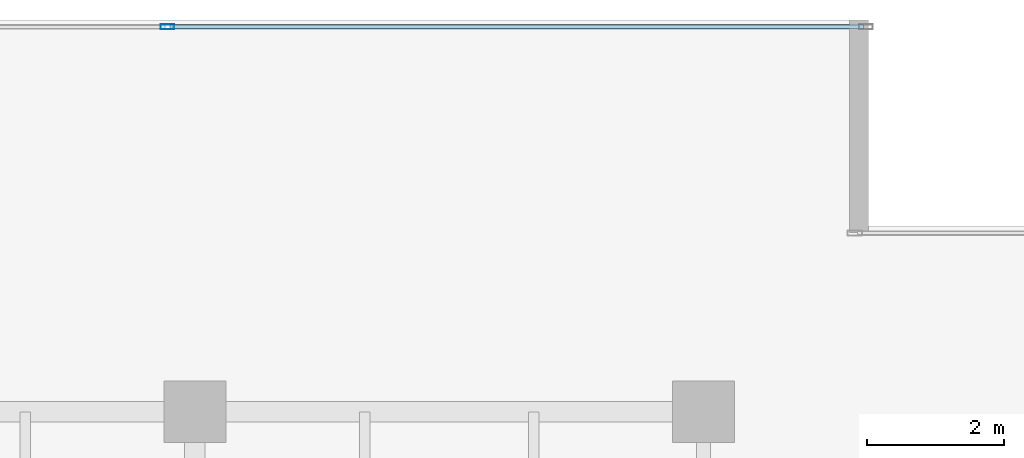
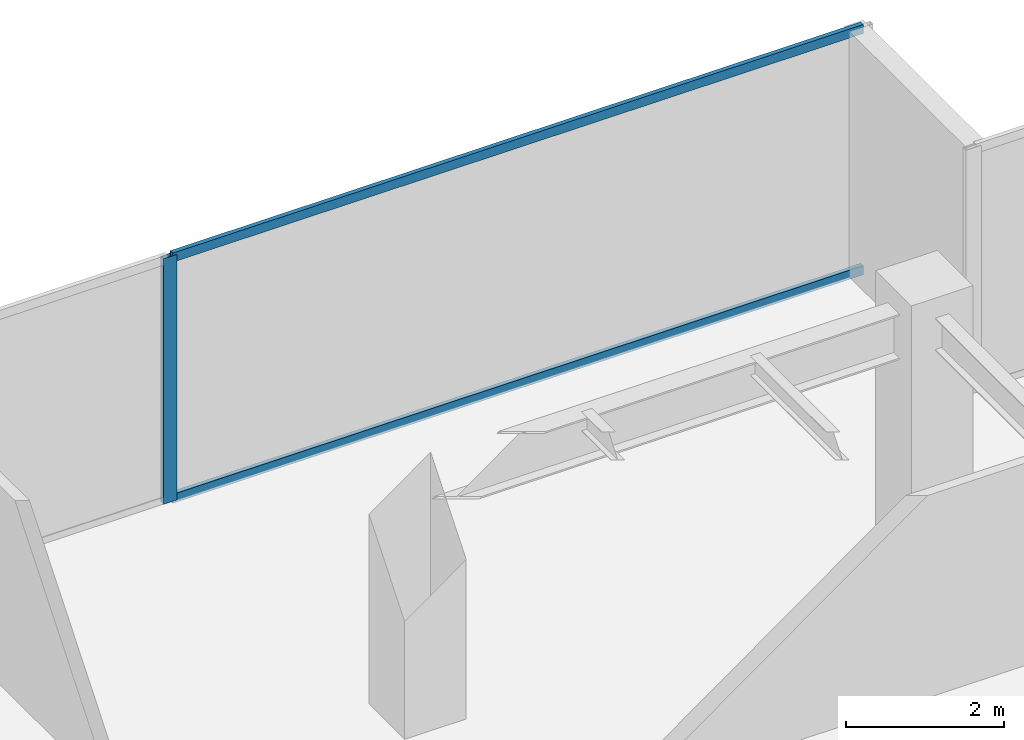
# One storey, part 20 of 30: 3 members, 1 element without a shape of its own.
"""IFC4 building model written with IfcOpenShell, lengths in metres."""

from ifc_helpers import new_model, si_unit, direction, frame, origin, origin_2d, place, context, subcontext, project, spatial, hollow_rectangle, extrude, source, transform, mapped, material, layer, layer_set, material_profile, profile_set, type_object, type_shapes, element, aggregate, save


model = new_model("IFC4")

# Units and contexts
model_context = context("Model", 3, precision=1e-05, world=origin(), true_north=direction((0.0, 1.0)))
body_context = subcontext(model_context, "Body", "Model", "MODEL_VIEW")
ifc_project = project(units=[si_unit("LENGTHUNIT", "METRE"), si_unit("AREAUNIT", "SQUARE_METRE"), si_unit("VOLUMEUNIT", "CUBIC_METRE"), si_unit("PLANEANGLEUNIT", "RADIAN"), si_unit("MASSUNIT", "GRAM", prefix="KILO")], contexts=[model_context])

# Site, building, storey
site_placement = place(None, origin())
site = spatial("IfcSite", under=ifc_project, at=site_placement, CompositionType="ELEMENT")
building_placement = place(site_placement, origin())
building = spatial("IfcBuilding", under=site, at=building_placement, Name="Haelvirn Gate Laboratories", CompositionType="ELEMENT")
storey_placement = place(building_placement, frame((0.0, 0.0, 105.10009765625)))
storey = spatial("IfcBuildingStorey", under=building, at=storey_placement, Name="L25", CompositionType="ELEMENT", Elevation=105.10009765625)

# Curtain wall, members
ifc_material_1 = material(Name="Anodised bronze unitised aluminium & triple low-E glass", Category="aluminium")
ifc_layer = layer(ifc_material_1, 0.179931640625, Name="CW-SYS-3")
ifc_layer_set = layer_set([ifc_layer], Name="Anodised bronze unitised aluminium & triple low-E glass")
curtain_wall_type = type_object("IfcCurtainWallType", Name="CW-SYS-3", PredefinedType="NOTDEFINED", material=ifc_layer_set)
curtain_wall_placement = place(storey_placement, origin())
curtain_wall = element("IfcCurtainWall", 1, at=curtain_wall_placement, inside=storey, type_object=curtain_wall_type, Name="L25 Unitised Curtain Wall CW-L25-P0-E10-1", PredefinedType="NOTDEFINED")
ifc_material_2 = material(Name="Extruded aluminium 6063-T6 (anodised bronze)", Category="aluminium")
ifc_material_profile_1 = material_profile(ifc_material_2, hollow_rectangle(XDim=0.06494140625, YDim=0.139892578125, WallThickness=0.00390625, at=origin_2d()), Name="CWT-140x65x4")
ifc_profile_set_1 = profile_set([ifc_material_profile_1], Name="Extruded aluminium 6063-T6 (anodised bronze)")
member_type_1 = type_object("IfcMemberType", Name="CWT-T140", PredefinedType="USERDEFINED", material=ifc_profile_set_1)
shared_shape_1 = source(origin(), body_context, "Body", "SweptSolid", [
    extrude(hollow_rectangle(XDim=0.06494140625, YDim=0.139892578125, WallThickness=0.00390625, at=origin_2d()), origin(), (0.0, 0.0, 1.0), 10.087646484375),
])
type_shapes(member_type_1, [shared_shape_1])
member_1_placement = place(storey_placement, frame((59.637451171875, 47.199951171875, 0.032470703125), z_axis=(1.0, 0.0, 0.0), x_axis=(0.0, 1.0, 0.0)))
member_1 = element("IfcMember", 2, at=member_1_placement, type_object=member_type_1, Name="CW3 transom 2.1", ObjectType="TRANSOM", PredefinedType="USERDEFINED", context=body_context, shape_type="MappedRepresentation", body=[
    mapped(shared_shape_1, transform((0.0, 0.0, 0.0), scale=1.0)),
])
member_2_placement = place(storey_placement, frame((59.637451171875, 47.199951171875, 3.75732421875), z_axis=(1.0, 0.0, 0.0), x_axis=(0.0, 1.0, 0.0)))
member_2 = element("IfcMember", 3, at=member_2_placement, type_object=member_type_1, Name="CW3 transom 2.2", ObjectType="TRANSOM", PredefinedType="USERDEFINED", context=body_context, shape_type="MappedRepresentation", body=[
    mapped(shared_shape_1, transform((0.0, 0.0, 0.0), scale=1.0)),
])
ifc_material_profile_2 = material_profile(ifc_material_2, hollow_rectangle(XDim=0.074951171875, YDim=0.199951171875, WallThickness=0.0048828125, at=origin_2d()), Name="CWM-200x75x5")
ifc_profile_set_2 = profile_set([ifc_material_profile_2], Name="Extruded aluminium 6063-T6 (anodised bronze)")
member_type_2 = type_object("IfcMemberType", Name="CWM-T200", PredefinedType="MULLION", material=ifc_profile_set_2)
shared_shape_2 = source(origin(), body_context, "Body", "SweptSolid", [
    extrude(hollow_rectangle(XDim=0.074951171875, YDim=0.199951171875, WallThickness=0.0048828125, at=origin_2d()), origin(), (0.0, 0.0, 1.0), 3.789794921875),
])
type_shapes(member_type_2, [shared_shape_2])
member_3_placement = place(storey_placement, frame((59.60009765625, 47.199951171875, 0.0), z_axis=(0.0, 0.0, 1.0), x_axis=(0.0, 1.0, 0.0)))
member_3 = element("IfcMember", 4, at=member_3_placement, type_object=member_type_2, Name="CW3 mullion 2", PredefinedType="MULLION", context=body_context, shape_type="MappedRepresentation", body=[
    mapped(shared_shape_2, transform((0.0, 0.0, 0.0), scale=1.0)),
])
aggregate(curtain_wall, [member_3, member_1, member_2])

save(model, "model.ifc")
